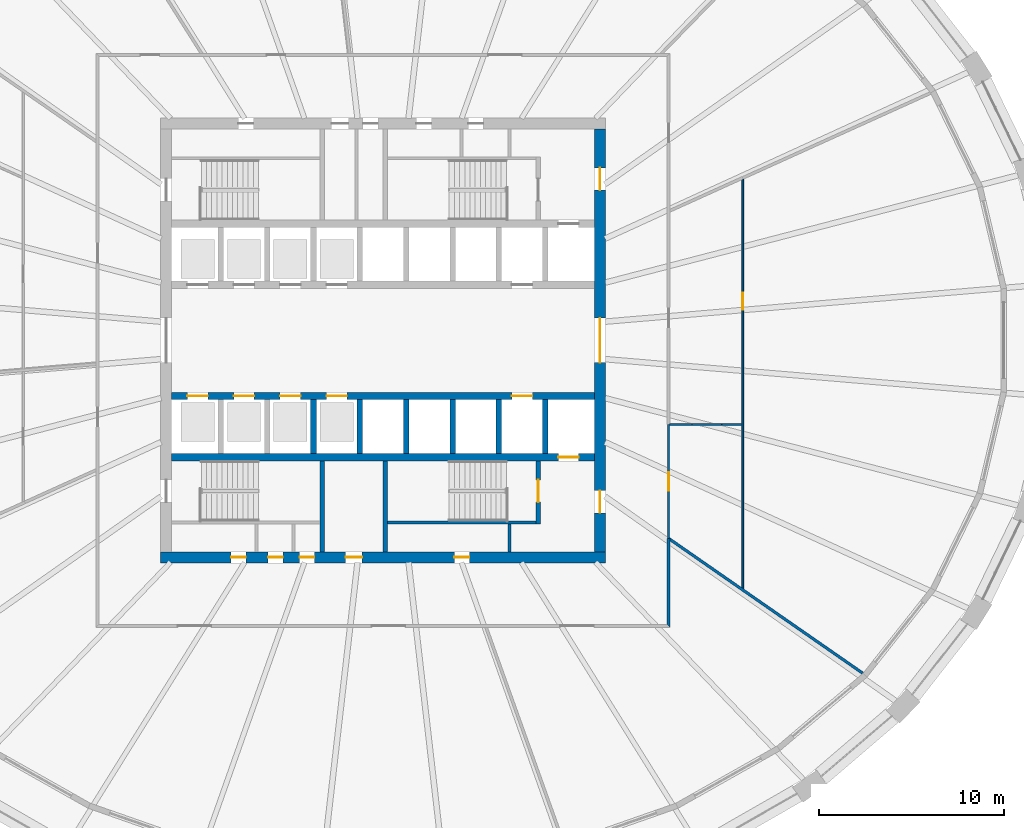
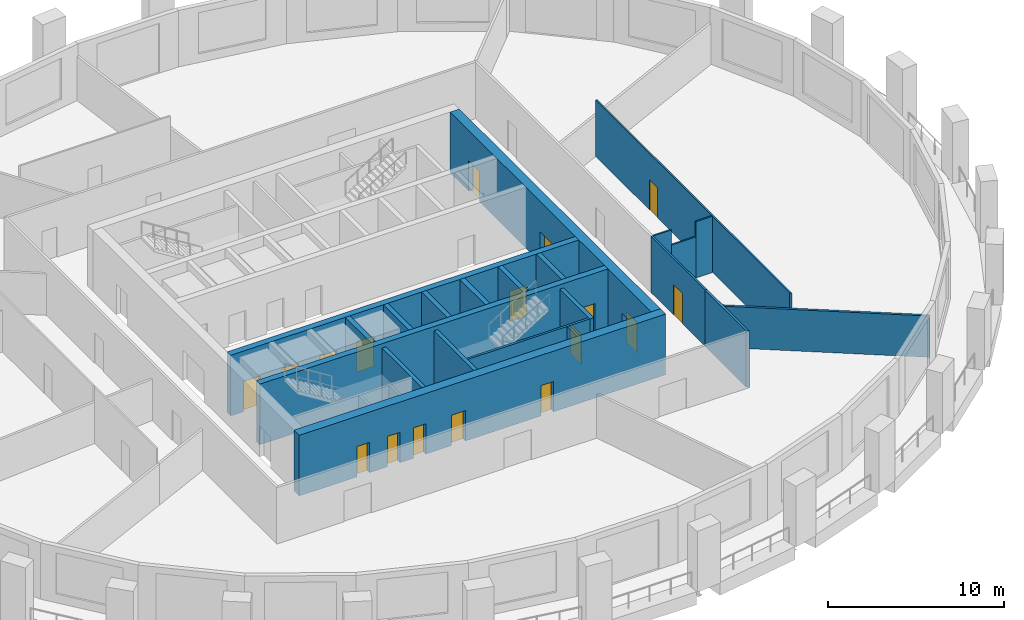
# One storey, part 4 of 10: 22 walls, 17 doors, 17 openings.
"""IFC4 building model written with IfcOpenShell, lengths in metres."""

from ifc_helpers import new_model, si_unit, direction, frame, frame_2d, origin, place, context, subcontext, project, spatial, polyline, rectangle, outline, extrude, material, layer, layer_set, type_object, element, fill, save


model = new_model("IFC4")

# Units and contexts
model_context = context("Model", 3, precision=1e-05, world=origin(), true_north=direction((0.0, 1.0)))
body_context = subcontext(model_context, "Body", "Model", "MODEL_VIEW")
ifc_project = project(units=[si_unit("LENGTHUNIT", "METRE"), si_unit("AREAUNIT", "SQUARE_METRE"), si_unit("VOLUMEUNIT", "CUBIC_METRE"), si_unit("PLANEANGLEUNIT", "RADIAN"), si_unit("MASSUNIT", "GRAM", prefix="KILO")], contexts=[model_context])

# Site, building, storey
site_placement = place(None, origin())
site = spatial("IfcSite", under=ifc_project, at=site_placement, CompositionType="ELEMENT")
building_placement = place(site_placement, origin())
building = spatial("IfcBuilding", under=site, at=building_placement, Name="Halqa Exchange Tower", CompositionType="ELEMENT")
storey_placement = place(building_placement, frame((0.0, 0.0, 86.5)))
storey = spatial("IfcBuildingStorey", under=building, at=storey_placement, Name="L19", CompositionType="ELEMENT", Elevation=86.5)

# Walls
ifc_material_1 = material(Name="Fire-rated gypsum board")
ifc_layer_1 = layer(ifc_material_1, 0.14990234375)
ifc_layer_set_1 = layer_set([ifc_layer_1], Name="Fire-rated gypsum board")
wall_type_1 = type_object("IfcWallType", Name="Fire partition EI 60 150", PredefinedType="PARTITIONING", material=ifc_layer_set_1)
wall_1_placement = place(storey_placement, frame((15.39990234375, -10.679931640625, 0.0), z_axis=(0.0, 0.0, 1.0), x_axis=(0.0, -1.0, 0.0)))
element("IfcWall", 1, at=wall_1_placement, inside=storey, type_object=wall_type_1, Name="L19-PWL-016", PredefinedType="PARTITIONING", context=body_context, shape_type="SweptSolid", body=[
    extrude(outline(polyline([(0.0, -0.074951171875), (1.54833984375, -0.074951171875), (3.0966796875, -0.074951171875), (4.64501953125, -0.074951171875), (4.794921875, 0.074951171875), (3.196533203125, 0.074951171875), (1.598388671875, 0.074951171875), (0.0, 0.074951171875), (0.0, -0.074951171875)])), origin(), (0.0, 0.0, 1.0), 3.89990234375),
])
wall_2_placement = place(storey_placement, frame((15.417724609375, -10.6923828125, 0.0), z_axis=(0.0, 0.0, 1.0), x_axis=(0.821423906774, -0.57031812647, 0.0)))
element("IfcWall", 2, at=wall_2_placement, inside=storey, type_object=wall_type_1, Name="L19-PWL-017", PredefinedType="PARTITIONING", context=body_context, shape_type="SweptSolid", body=[
    extrude(outline(polyline([(0.121826171875, -0.074951171875), (1.921875, -0.074951171875), (3.721923828125, -0.074951171875), (5.52197265625, -0.074951171875), (7.322021484375, -0.074951171875), (9.1220703125, -0.074951171875), (10.922119140625, -0.074951171875), (12.721923828125, -0.074951171875), (12.72216796875, -0.074462890625), (12.72216796875, 0.074951171875), (10.72705078125, 0.074951171875), (8.73193359375, 0.074951171875), (6.736572265625, 0.074951171875), (4.741455078125, 0.074951171875), (4.7373046875, 0.072021484375), (4.735107421875, 0.074951171875), (3.15673828125, 0.074951171875), (1.578369140625, 0.074951171875), (0.0, 0.074951171875), (0.0, 0.07421875), (0.027587890625, 0.0341796875), (0.0400390625, 0.042724609375), (0.121826171875, -0.074951171875)])), origin(), (0.0, 0.0, 1.0), 2.860107421875),
])

# Wall, opening, door
ifc_material_2 = material(Name="Fire-rated glazing", Category="glass")
ifc_layer_2 = layer(ifc_material_2, 0.1201171875)
ifc_layer_set_2 = layer_set([ifc_layer_2], Name="Fire-rated glazing")
wall_type_2 = type_object("IfcWallType", Name="Glazed fire partition EI 60 120", PredefinedType="PARTITIONING", material=ifc_layer_set_2)
wall_3_placement = place(storey_placement, frame((15.39990234375, -4.5400390625, 0.0), z_axis=(0.0, 0.0, 1.0), x_axis=(0.0, -1.0, 0.0)))
wall_3 = element("IfcWall", 3, at=wall_3_placement, inside=storey, type_object=wall_type_2, Name="L19-PWL-018", PredefinedType="PARTITIONING", context=body_context, shape_type="SweptSolid", body=[
    extrude(rectangle(XDim=6.139892578125, YDim=0.1201171875, at=frame_2d((3.06982421875, 0.0))), origin(), (0.0, 0.0, 1.0), 3.89990234375),
])
opening_1_placement = place(wall_3_placement, frame((2.570068359375, 0.0, 0.0)))
opening_1 = element("IfcOpeningElement", 4, at=opening_1_placement, cuts=wall_3, Name="Opening 06-01", PredefinedType="OPENING", context=body_context, shape_type="SweptSolid", body=[
    extrude(rectangle(XDim=1.0, YDim=2.10009765625, at=frame_2d((0.5, 1.050048828125))), frame((0.0, 0.072021484375, 0.0), z_axis=(0.0, -1.0, 0.0), x_axis=(1.0, 0.0, 0.0)), (0.0, 0.0, 1.0), 0.14404296875),
])
ifc_material_3 = material(Name="Steel fire door leaf", Category="steel")
door_type_1 = type_object("IfcDoorType", Name="Fire door FD30S 1000 x 2100", OperationType="SINGLE_SWING_LEFT", PredefinedType="DOOR", material=ifc_material_3)
door_1_placement = place(opening_1_placement, origin())
door_1 = element("IfcDoor", 5, at=door_1_placement, inside=storey, type_object=door_type_1, Name="L19-IDR-001", OperationType="SINGLE_SWING_RIGHT", OverallHeight=2.10009765625, OverallWidth=1.0, PredefinedType="DOOR", context=body_context, shape_type="SweptSolid", body=[
    extrude(rectangle(XDim=1.0, YDim=2.10009765625, at=frame_2d((0.5, 1.050048828125))), frame((0.0, 0.02490234375, 0.0), z_axis=(0.0, -1.0, 0.0), x_axis=(1.0, 0.0, 0.0)), (0.0, 0.0, 1.0), 0.050048828125),
])
fill(opening_1, door_1)

# Wall
ifc_material_4 = material(Name="Gypsum board")
ifc_layer_3 = layer(ifc_material_4, 0.10009765625)
ifc_layer_set_3 = layer_set([ifc_layer_3], Name="Gypsum board")
wall_type_3 = type_object("IfcWallType", Name="Partition 100 gypsum", PredefinedType="PARTITIONING", material=ifc_layer_set_3)
wall_4_placement = place(storey_placement, frame((15.46044921875, -4.5400390625, 0.0), z_axis=(0.0, 0.0, 1.0), x_axis=(1.0, 0.0, 0.0)))
element("IfcWall", 6, at=wall_4_placement, inside=storey, type_object=wall_type_3, Name="L19-PWL-020", PredefinedType="PARTITIONING", context=body_context, shape_type="SweptSolid", body=[
    extrude(outline(polyline([(1.191650390625, 0.050048828125), (0.0146484375, 0.050048828125), (0.0146484375, 0.0), (0.0, 0.0), (0.0, -0.050048828125), (1.191650390625, -0.050048828125), (1.191650390625, 0.050048828125)])), origin(), (0.0, 0.0, 1.0), 3.89990234375),
])

# Wall, opening, door
wall_5_placement = place(storey_placement, frame((19.39990234375, -13.400390625, 0.0), z_axis=(0.0, 0.0, 1.0), x_axis=(0.0, 1.0, 0.0)))
wall_5 = element("IfcWall", 7, at=wall_5_placement, inside=storey, type_object=wall_type_3, Name="L19-PWL-022", PredefinedType="PARTITIONING", context=body_context, shape_type="SweptSolid", body=[
    extrude(outline(polyline([(22.100341796875, -0.050048828125), (22.100341796875, -0.04931640625), (22.093994140625, -0.03564453125), (22.100341796875, -0.03271484375), (22.100341796875, -0.027099609375), (22.0654296875, 0.050048828125), (20.18603515625, 0.050048828125), (18.306884765625, 0.050048828125), (16.427490234375, 0.050048828125), (14.54833984375, 0.050048828125), (12.6689453125, 0.050048828125), (10.789794921875, 0.050048828125), (8.910400390625, 0.050048828125), (8.910400390625, 0.0498046875), (8.810302734375, 0.0498046875), (8.810302734375, 0.050048828125), (7.062255859375, 0.050048828125), (5.31396484375, 0.050048828125), (3.565673828125, 0.050048828125), (1.8173828125, 0.050048828125), (0.069091796875, 0.050048828125), (0.0, -0.049560546875), (0.0, -0.050048828125), (1.841796875, -0.050048828125), (3.683349609375, -0.050048828125), (5.525146484375, -0.050048828125), (7.36669921875, -0.050048828125), (9.20849609375, -0.050048828125), (11.05029296875, -0.050048828125), (12.891845703125, -0.050048828125), (14.733642578125, -0.050048828125), (16.5751953125, -0.050048828125), (18.4169921875, -0.050048828125), (20.258544921875, -0.050048828125), (22.100341796875, -0.050048828125)])), origin(), (0.0, 0.0, 1.0), 3.89990234375),
])
opening_2_placement = place(wall_5_placement, frame((15.060546875, 0.0, 0.0)))
opening_2 = element("IfcOpeningElement", 8, at=opening_2_placement, cuts=wall_5, Name="Opening 06-12", PredefinedType="OPENING", context=body_context, shape_type="SweptSolid", body=[
    extrude(rectangle(XDim=0.89990234375, YDim=2.10009765625, at=frame_2d((0.449951171875, 1.050048828125))), frame((0.0, 0.06201171875, 0.0), z_axis=(0.0, -1.0, 0.0), x_axis=(1.0, 0.0, 0.0)), (0.0, 0.0, 1.0), 0.1240234375),
])
ifc_material_5 = material(Name="Timber door leaf", Category="wood")
door_type_2 = type_object("IfcDoorType", Name="Door 900 x 2100", OperationType="SINGLE_SWING_LEFT", PredefinedType="DOOR", material=ifc_material_5)
door_2_placement = place(opening_2_placement, origin())
door_2 = element("IfcDoor", 9, at=door_2_placement, inside=storey, type_object=door_type_2, Name="L19-IDR-012", OperationType="SINGLE_SWING_LEFT", OverallHeight=2.10009765625, OverallWidth=0.89990234375, PredefinedType="DOOR", context=body_context, shape_type="SweptSolid", body=[
    extrude(rectangle(XDim=0.89990234375, YDim=2.10009765625, at=frame_2d((0.449951171875, 1.050048828125))), frame((0.0, 0.02490234375, 0.0), z_axis=(0.0, -1.0, 0.0), x_axis=(1.0, 0.0, 0.0)), (0.0, 0.0, 1.0), 0.050048828125),
])
fill(opening_2, door_2)

# Walls
wall_6_placement = place(storey_placement, frame((16.652099609375, -4.5400390625, 0.0), z_axis=(0.0, 0.0, 1.0), x_axis=(1.0, 0.0, 0.0)))
element("IfcWall", 10, at=wall_6_placement, inside=storey, type_object=wall_type_3, Name="L19-PWL-025", PredefinedType="PARTITIONING", context=body_context, shape_type="SweptSolid", body=[
    extrude(outline(polyline([(0.0, 0.050048828125), (0.0, -0.050048828125), (1.616943359375, -0.050048828125), (1.616943359375, 0.050048828125), (0.0, 0.050048828125)])), origin(), (0.0, 0.0, 1.0), 2.85009765625),
])
wall_7_placement = place(storey_placement, frame((18.26904296875, -4.5400390625, 0.0), z_axis=(0.0, 0.0, 1.0), x_axis=(1.0, 0.0, 0.0)))
element("IfcWall", 11, at=wall_7_placement, inside=storey, type_object=wall_type_3, Name="L19-PWL-026", PredefinedType="PARTITIONING", context=body_context, shape_type="SweptSolid", body=[
    extrude(outline(polyline([(0.0, -0.050048828125), (1.0810546875, -0.050048828125), (1.0810546875, 0.050048828125), (0.0, 0.050048828125), (0.0, -0.050048828125)])), origin(), (0.0, 0.0, 1.0), 3.89990234375),
])
ifc_layer_4 = layer(ifc_material_4, 0.14990234375)
ifc_layer_set_4 = layer_set([ifc_layer_4], Name="Gypsum board")
wall_type_4 = type_object("IfcWallType", Name="Penthouse riser wall 150 gypsum", PredefinedType="PARTITIONING", material=ifc_layer_set_4)
wall_8_placement = place(storey_placement, frame((6.824951171875, -11.39990234375, 0.0), z_axis=(0.0, 0.0, 1.0), x_axis=(0.0, 1.0, 0.0)))
element("IfcWall", 12, at=wall_8_placement, inside=storey, type_object=wall_type_4, Name="Firefighting lobby west wall S", PredefinedType="PARTITIONING", context=body_context, shape_type="SweptSolid", body=[
    extrude(rectangle(XDim=1.5, YDim=0.14990234375, at=frame_2d((0.75, 0.0))), origin(), (0.0, 0.0, 1.0), 3.89990234375),
])
ifc_material_6 = material(Name="Concrete C60/75", Category="concrete")
ifc_layer_5 = layer(ifc_material_6, 0.300048828125)
ifc_layer_set_5 = layer_set([ifc_layer_5], Name="Concrete C60/75")
wall_type_5 = type_object("IfcWallType", Name="RC core wall 300", PredefinedType="SHEAR", material=ifc_layer_set_5)
for number, where, z_axis, x_axis, name in (
    (13, (-3.75, -6.10009765625, 0.0), (0.0, 0.0, 1.0), (0.0, 1.0, 0.0), "Shaft divider S3"),
    (14, (-1.25, -6.10009765625, 0.0), (0.0, 0.0, 1.0), (0.0, 1.0, 0.0), "Shaft divider S4"),
    (15, (1.25, -6.10009765625, 0.0), (0.0, 0.0, 1.0), (0.0, 1.0, 0.0), "Shaft divider S5"),
    (16, (3.75, -6.10009765625, 0.0), (0.0, 0.0, 1.0), (0.0, 1.0, 0.0), "Shaft divider S6"),
    (17, (6.25, -6.10009765625, 0.0), (0.0, 0.0, 1.0), (0.0, 1.0, 0.0), "Shaft divider S7"),
    (18, (8.75, -6.10009765625, 0.0), (0.0, 0.0, 1.0), (0.0, 1.0, 0.0), "Shaft divider S8"),
):
    element("IfcWall", number, at=place(storey_placement, frame(where, z_axis=z_axis, x_axis=x_axis)), inside=storey, type_object=wall_type_5, Name=name, PredefinedType="SHEAR", context=body_context, shape_type="SweptSolid", body=[
        extrude(rectangle(XDim=2.900146484375, YDim=0.300048828125, at=frame_2d((1.4501953125, 0.0))), origin(), (0.0, 0.0, 1.0), 4.199951171875),
    ])

# Wall, openings, doors
ifc_material_7 = material(Name="Concrete C80/95", Category="concrete")
ifc_layer_6 = layer(ifc_material_7, 0.39990234375)
ifc_layer_set_6 = layer_set([ifc_layer_6], Name="Concrete C80/95")
wall_type_6 = type_object("IfcWallType", Name="RC core wall 400 C80/95", PredefinedType="SHEAR", material=ifc_layer_set_6)
wall_9_placement = place(storey_placement, frame((-11.39990234375, -3.0, 0.0), z_axis=(0.0, 0.0, 1.0), x_axis=(1.0, 0.0, 0.0)))
wall_9 = element("IfcWall", 19, at=wall_9_placement, inside=storey, type_object=wall_type_6, Name="Lift row front wall S", PredefinedType="SHEAR", context=body_context, shape_type="SweptSolid", body=[
    extrude(rectangle(XDim=22.7998046875, YDim=0.39990234375, at=frame_2d((11.39990234375, 0.0))), origin(), (0.0, 0.0, 1.0), 4.199951171875),
])
opening_3_placement = place(wall_9_placement, frame((0.85009765625, 0.0, 0.0)))
opening_3 = element("IfcOpeningElement", 20, at=opening_3_placement, cuts=wall_9, Name="Opening LD-LR5-T06", PredefinedType="OPENING", context=body_context, shape_type="SweptSolid", body=[
    extrude(rectangle(XDim=1.10009765625, YDim=2.10009765625, at=frame_2d((0.550048828125, 1.050048828125))), frame((0.0, 0.2119140625, 0.0), z_axis=(0.0, -1.0, 0.0), x_axis=(1.0, 0.0, 0.0)), (0.0, 0.0, 1.0), 0.423828125),
])
opening_4_placement = place(wall_9_placement, frame((3.35009765625, 0.0, 0.0)))
opening_4 = element("IfcOpeningElement", 21, at=opening_4_placement, cuts=wall_9, Name="Opening LD-LR6-T06", PredefinedType="OPENING", context=body_context, shape_type="SweptSolid", body=[
    extrude(rectangle(XDim=1.10009765625, YDim=2.10009765625, at=frame_2d((0.550048828125, 1.050048828125))), frame((0.0, 0.2119140625, 0.0), z_axis=(0.0, -1.0, 0.0), x_axis=(1.0, 0.0, 0.0)), (0.0, 0.0, 1.0), 0.423828125),
])
opening_5_placement = place(wall_9_placement, frame((5.85009765625, 0.0, 0.0)))
opening_5 = element("IfcOpeningElement", 22, at=opening_5_placement, cuts=wall_9, Name="Opening LD-LR7-T06", PredefinedType="OPENING", context=body_context, shape_type="SweptSolid", body=[
    extrude(rectangle(XDim=1.10009765625, YDim=2.10009765625, at=frame_2d((0.550048828125, 1.050048828125))), frame((0.0, 0.2119140625, 0.0), z_axis=(0.0, -1.0, 0.0), x_axis=(1.0, 0.0, 0.0)), (0.0, 0.0, 1.0), 0.423828125),
])
opening_6_placement = place(wall_9_placement, frame((8.35009765625, 0.0, 0.0)))
opening_6 = element("IfcOpeningElement", 23, at=opening_6_placement, cuts=wall_9, Name="Opening LD-LR8-T06", PredefinedType="OPENING", context=body_context, shape_type="SweptSolid", body=[
    extrude(rectangle(XDim=1.10009765625, YDim=2.10009765625, at=frame_2d((0.550048828125, 1.050048828125))), frame((0.0, 0.2119140625, 0.0), z_axis=(0.0, -1.0, 0.0), x_axis=(1.0, 0.0, 0.0)), (0.0, 0.0, 1.0), 0.423828125),
])
opening_7_placement = place(wall_9_placement, frame((18.35009765625, 0.0, 0.0)))
opening_7 = element("IfcOpeningElement", 24, at=opening_7_placement, cuts=wall_9, Name="Opening LD-SV2-T06", PredefinedType="OPENING", context=body_context, shape_type="SweptSolid", body=[
    extrude(rectangle(XDim=1.10009765625, YDim=2.10009765625, at=frame_2d((0.550048828125, 1.050048828125))), frame((0.0, 0.2119140625, 0.0), z_axis=(0.0, -1.0, 0.0), x_axis=(1.0, 0.0, 0.0)), (0.0, 0.0, 1.0), 0.423828125),
])
ifc_material_8 = material(Name="Stainless steel", Category="steel")
door_type_3 = type_object("IfcDoorType", Name="Lift landing door 1100 x 2100", OperationType="SLIDING_TO_LEFT", PredefinedType="DOOR", material=ifc_material_8)
door_3_placement = place(opening_3_placement, origin())
door_3 = element("IfcDoor", 25, at=door_3_placement, inside=storey, type_object=door_type_3, Name="Lift landing door LR5", OperationType="SLIDING_TO_LEFT", OverallHeight=2.10009765625, OverallWidth=1.10009765625, PredefinedType="DOOR", context=body_context, shape_type="SweptSolid", body=[
    extrude(rectangle(XDim=1.10009765625, YDim=2.10009765625, at=frame_2d((0.550048828125, 1.050048828125))), frame((0.0, 0.02490234375, 0.0), z_axis=(0.0, -1.0, 0.0), x_axis=(1.0, 0.0, 0.0)), (0.0, 0.0, 1.0), 0.050048828125),
])
fill(opening_3, door_3)
door_4_placement = place(opening_4_placement, origin())
door_4 = element("IfcDoor", 26, at=door_4_placement, inside=storey, type_object=door_type_3, Name="Lift landing door LR6", OperationType="SLIDING_TO_LEFT", OverallHeight=2.10009765625, OverallWidth=1.10009765625, PredefinedType="DOOR", context=body_context, shape_type="SweptSolid", body=[
    extrude(rectangle(XDim=1.10009765625, YDim=2.10009765625, at=frame_2d((0.550048828125, 1.050048828125))), frame((0.0, 0.02490234375, 0.0), z_axis=(0.0, -1.0, 0.0), x_axis=(1.0, 0.0, 0.0)), (0.0, 0.0, 1.0), 0.050048828125),
])
fill(opening_4, door_4)
door_5_placement = place(opening_5_placement, origin())
door_5 = element("IfcDoor", 27, at=door_5_placement, inside=storey, type_object=door_type_3, Name="Lift landing door LR7", OperationType="SLIDING_TO_LEFT", OverallHeight=2.10009765625, OverallWidth=1.10009765625, PredefinedType="DOOR", context=body_context, shape_type="SweptSolid", body=[
    extrude(rectangle(XDim=1.10009765625, YDim=2.10009765625, at=frame_2d((0.550048828125, 1.050048828125))), frame((0.0, 0.02490234375, 0.0), z_axis=(0.0, -1.0, 0.0), x_axis=(1.0, 0.0, 0.0)), (0.0, 0.0, 1.0), 0.050048828125),
])
fill(opening_5, door_5)
door_6_placement = place(opening_6_placement, origin())
door_6 = element("IfcDoor", 28, at=door_6_placement, inside=storey, type_object=door_type_3, Name="Lift landing door LR8", OperationType="SLIDING_TO_LEFT", OverallHeight=2.10009765625, OverallWidth=1.10009765625, PredefinedType="DOOR", context=body_context, shape_type="SweptSolid", body=[
    extrude(rectangle(XDim=1.10009765625, YDim=2.10009765625, at=frame_2d((0.550048828125, 1.050048828125))), frame((0.0, 0.02490234375, 0.0), z_axis=(0.0, -1.0, 0.0), x_axis=(1.0, 0.0, 0.0)), (0.0, 0.0, 1.0), 0.050048828125),
])
fill(opening_6, door_6)
door_7_placement = place(opening_7_placement, origin())
door_7 = element("IfcDoor", 29, at=door_7_placement, inside=storey, type_object=door_type_3, Name="Lift landing door SV2", OperationType="SLIDING_TO_LEFT", OverallHeight=2.10009765625, OverallWidth=1.10009765625, PredefinedType="DOOR", context=body_context, shape_type="SweptSolid", body=[
    extrude(rectangle(XDim=1.10009765625, YDim=2.10009765625, at=frame_2d((0.550048828125, 1.050048828125))), frame((0.0, 0.02490234375, 0.0), z_axis=(0.0, -1.0, 0.0), x_axis=(1.0, 0.0, 0.0)), (0.0, 0.0, 1.0), 0.050048828125),
])
fill(opening_7, door_7)

# Wall, opening, door
wall_10_placement = place(storey_placement, frame((-11.39990234375, -6.300048828125, 0.0), z_axis=(0.0, 0.0, 1.0), x_axis=(1.0, 0.0, 0.0)))
wall_10 = element("IfcWall", 30, at=wall_10_placement, inside=storey, type_object=wall_type_6, Name="Lift row back wall S", PredefinedType="SHEAR", context=body_context, shape_type="SweptSolid", body=[
    extrude(rectangle(XDim=22.7998046875, YDim=0.39990234375, at=frame_2d((11.39990234375, 0.0))), origin(), (0.0, 0.0, 1.0), 4.199951171875),
])
opening_8_placement = place(wall_10_placement, frame((20.85009765625, 0.0, 0.0)))
opening_8 = element("IfcOpeningElement", 31, at=opening_8_placement, cuts=wall_10, Name="Opening LD-FF2-T06", PredefinedType="OPENING", context=body_context, shape_type="SweptSolid", body=[
    extrude(rectangle(XDim=1.10009765625, YDim=2.10009765625, at=frame_2d((0.550048828125, 1.050048828125))), frame((0.0, 0.2119140625, 0.0), z_axis=(0.0, -1.0, 0.0), x_axis=(1.0, 0.0, 0.0)), (0.0, 0.0, 1.0), 0.423828125),
])
door_8_placement = place(opening_8_placement, origin())
door_8 = element("IfcDoor", 32, at=door_8_placement, inside=storey, type_object=door_type_3, Name="Lift landing door FF2", OperationType="SLIDING_TO_LEFT", OverallHeight=2.10009765625, OverallWidth=1.10009765625, PredefinedType="DOOR", context=body_context, shape_type="SweptSolid", body=[
    extrude(rectangle(XDim=1.10009765625, YDim=2.10009765625, at=frame_2d((0.550048828125, 1.050048828125))), frame((0.0, 0.02490234375, 0.0), z_axis=(0.0, -1.0, 0.0), x_axis=(1.0, 0.0, 0.0)), (0.0, 0.0, 1.0), 0.050048828125),
])
fill(opening_8, door_8)

# Wall, openings, doors
ifc_layer_7 = layer(ifc_material_7, 0.60009765625)
ifc_layer_set_7 = layer_set([ifc_layer_7], Name="Concrete C80/95")
wall_type_7 = type_object("IfcWallType", Name="RC core wall 600 C80/95", PredefinedType="SHEAR", material=ifc_layer_set_7)
wall_11_placement = place(storey_placement, frame((-12.0, -11.699951171875, 0.0), z_axis=(0.0, 0.0, 1.0), x_axis=(1.0, 0.0, 0.0)))
wall_11 = element("IfcWall", 33, at=wall_11_placement, inside=storey, type_object=wall_type_7, Name="Core wall south", PredefinedType="SHEAR", context=body_context, shape_type="SweptSolid", body=[
    extrude(rectangle(XDim=24.0, YDim=0.60009765625, at=frame_2d((12.0, 0.0))), origin(), (0.0, 0.0, 1.0), 4.199951171875),
])
opening_9_placement = place(wall_11_placement, frame((9.97509765625, 0.0, 0.0)))
opening_9 = element("IfcOpeningElement", 34, at=opening_9_placement, cuts=wall_11, Name="Opening T06-C26", PredefinedType="OPENING", context=body_context, shape_type="SweptSolid", body=[
    extrude(rectangle(XDim=0.89990234375, YDim=2.10009765625, at=frame_2d((0.449951171875, 1.050048828125))), frame((0.0, 0.31201171875, 0.0), z_axis=(0.0, -1.0, 0.0), x_axis=(1.0, 0.0, 0.0)), (0.0, 0.0, 1.0), 0.6240234375),
])
opening_10_placement = place(wall_11_placement, frame((3.800048828125, 0.0, 0.0)))
opening_10 = element("IfcOpeningElement", 35, at=opening_10_placement, cuts=wall_11, Name="Opening T06-C27", PredefinedType="OPENING", context=body_context, shape_type="SweptSolid", body=[
    extrude(rectangle(XDim=0.800048828125, YDim=2.10009765625, at=frame_2d((0.39990234375, 1.050048828125))), frame((0.0, 0.31201171875, 0.0), z_axis=(0.0, -1.0, 0.0), x_axis=(1.0, 0.0, 0.0)), (0.0, 0.0, 1.0), 0.6240234375),
])
opening_11_placement = place(wall_11_placement, frame((5.800048828125, 0.0, 0.0)))
opening_11 = element("IfcOpeningElement", 36, at=opening_11_placement, cuts=wall_11, Name="Opening T06-C28", PredefinedType="OPENING", context=body_context, shape_type="SweptSolid", body=[
    extrude(rectangle(XDim=0.800048828125, YDim=2.10009765625, at=frame_2d((0.39990234375, 1.050048828125))), frame((0.0, 0.31201171875, 0.0), z_axis=(0.0, -1.0, 0.0), x_axis=(1.0, 0.0, 0.0)), (0.0, 0.0, 1.0), 0.6240234375),
])
opening_12_placement = place(wall_11_placement, frame((7.5, 0.0, 0.0)))
opening_12 = element("IfcOpeningElement", 37, at=opening_12_placement, cuts=wall_11, Name="Opening T06-C29", PredefinedType="OPENING", context=body_context, shape_type="SweptSolid", body=[
    extrude(rectangle(XDim=0.800048828125, YDim=2.10009765625, at=frame_2d((0.39990234375, 1.050048828125))), frame((0.0, 0.31201171875, 0.0), z_axis=(0.0, -1.0, 0.0), x_axis=(1.0, 0.0, 0.0)), (0.0, 0.0, 1.0), 0.6240234375),
])
opening_13_placement = place(wall_11_placement, frame((15.85009765625, 0.0, 0.0)))
opening_13 = element("IfcOpeningElement", 38, at=opening_13_placement, cuts=wall_11, Name="Opening T06-C30", PredefinedType="OPENING", context=body_context, shape_type="SweptSolid", body=[
    extrude(rectangle(XDim=0.800048828125, YDim=2.10009765625, at=frame_2d((0.39990234375, 1.050048828125))), frame((0.0, 0.31201171875, 0.0), z_axis=(0.0, -1.0, 0.0), x_axis=(1.0, 0.0, 0.0)), (0.0, 0.0, 1.0), 0.6240234375),
])
ifc_material_9 = material(Name="Timber fire door leaf", Category="wood")
door_type_4 = type_object("IfcDoorType", Name="Core room door FD30 900 x 2100", OperationType="SINGLE_SWING_LEFT", PredefinedType="DOOR", material=ifc_material_9)
door_9_placement = place(opening_9_placement, origin())
door_9 = element("IfcDoor", 39, at=door_9_placement, inside=storey, type_object=door_type_4, Name="Core room door", OperationType="SINGLE_SWING_LEFT", OverallHeight=2.10009765625, OverallWidth=0.89990234375, PredefinedType="DOOR", context=body_context, shape_type="SweptSolid", body=[
    extrude(rectangle(XDim=0.89990234375, YDim=2.10009765625, at=frame_2d((0.449951171875, 1.050048828125))), frame((0.0, 0.02490234375, 0.0), z_axis=(0.0, -1.0, 0.0), x_axis=(1.0, 0.0, 0.0)), (0.0, 0.0, 1.0), 0.050048828125),
])
fill(opening_9, door_9)
door_type_5 = type_object("IfcDoorType", Name="Riser door FD60 800 x 2100", OperationType="SINGLE_SWING_LEFT", PredefinedType="DOOR", material=ifc_material_3)
door_10_placement = place(opening_10_placement, origin())
door_10 = element("IfcDoor", 40, at=door_10_placement, inside=storey, type_object=door_type_5, Name="Core room door", OperationType="SINGLE_SWING_LEFT", OverallHeight=2.10009765625, OverallWidth=0.800048828125, PredefinedType="DOOR", context=body_context, shape_type="SweptSolid", body=[
    extrude(rectangle(XDim=0.800048828125, YDim=2.10009765625, at=frame_2d((0.39990234375, 1.050048828125))), frame((0.0, 0.02490234375, 0.0), z_axis=(0.0, -1.0, 0.0), x_axis=(1.0, 0.0, 0.0)), (0.0, 0.0, 1.0), 0.050048828125),
])
fill(opening_10, door_10)
door_11_placement = place(opening_11_placement, origin())
door_11 = element("IfcDoor", 41, at=door_11_placement, inside=storey, type_object=door_type_5, Name="Core room door", OperationType="SINGLE_SWING_RIGHT", OverallHeight=2.10009765625, OverallWidth=0.800048828125, PredefinedType="DOOR", context=body_context, shape_type="SweptSolid", body=[
    extrude(rectangle(XDim=0.800048828125, YDim=2.10009765625, at=frame_2d((0.39990234375, 1.050048828125))), frame((0.0, 0.02490234375, 0.0), z_axis=(0.0, -1.0, 0.0), x_axis=(1.0, 0.0, 0.0)), (0.0, 0.0, 1.0), 0.050048828125),
])
fill(opening_11, door_11)
door_12_placement = place(opening_12_placement, origin())
door_12 = element("IfcDoor", 42, at=door_12_placement, inside=storey, type_object=door_type_5, Name="Core room door", OperationType="SINGLE_SWING_RIGHT", OverallHeight=2.10009765625, OverallWidth=0.800048828125, PredefinedType="DOOR", context=body_context, shape_type="SweptSolid", body=[
    extrude(rectangle(XDim=0.800048828125, YDim=2.10009765625, at=frame_2d((0.39990234375, 1.050048828125))), frame((0.0, 0.02490234375, 0.0), z_axis=(0.0, -1.0, 0.0), x_axis=(1.0, 0.0, 0.0)), (0.0, 0.0, 1.0), 0.050048828125),
])
fill(opening_12, door_12)
door_13_placement = place(opening_13_placement, origin())
door_13 = element("IfcDoor", 43, at=door_13_placement, inside=storey, type_object=door_type_5, Name="Core room door", OperationType="SINGLE_SWING_LEFT", OverallHeight=2.10009765625, OverallWidth=0.800048828125, PredefinedType="DOOR", context=body_context, shape_type="SweptSolid", body=[
    extrude(rectangle(XDim=0.800048828125, YDim=2.10009765625, at=frame_2d((0.39990234375, 1.050048828125))), frame((0.0, 0.02490234375, 0.0), z_axis=(0.0, -1.0, 0.0), x_axis=(1.0, 0.0, 0.0)), (0.0, 0.0, 1.0), 0.050048828125),
])
fill(opening_13, door_13)

wall_12_placement = place(storey_placement, frame((11.699951171875, -11.39990234375, 0.0), z_axis=(0.0, 0.0, 1.0), x_axis=(0.0, 1.0, 0.0)))
wall_12 = element("IfcWall", 44, at=wall_12_placement, inside=storey, type_object=wall_type_7, Name="Core wall east", PredefinedType="SHEAR", context=body_context, shape_type="SweptSolid", body=[
    extrude(rectangle(XDim=22.7998046875, YDim=0.60009765625, at=frame_2d((11.39990234375, 0.0))), origin(), (0.0, 0.0, 1.0), 4.199951171875),
])
opening_14_placement = place(wall_12_placement, frame((10.199951171875, 0.0, 0.0)))
opening_14 = element("IfcOpeningElement", 45, at=opening_14_placement, cuts=wall_12, Name="Opening T06-C14", PredefinedType="OPENING", context=body_context, shape_type="SweptSolid", body=[
    extrude(rectangle(XDim=2.39990234375, YDim=2.10009765625, at=frame_2d((1.199951171875, 1.050048828125))), frame((0.0, 0.31201171875, 0.0), z_axis=(0.0, -1.0, 0.0), x_axis=(1.0, 0.0, 0.0)), (0.0, 0.0, 1.0), 0.6240234375),
])
opening_15_placement = place(wall_12_placement, frame((19.5, 0.0, 0.0)))
opening_15 = element("IfcOpeningElement", 46, at=opening_15_placement, cuts=wall_12, Name="Opening T06-C19", PredefinedType="OPENING", context=body_context, shape_type="SweptSolid", body=[
    extrude(rectangle(XDim=1.199951171875, YDim=2.10009765625, at=frame_2d((0.60009765625, 1.050048828125))), frame((0.0, 0.31201171875, 0.0), z_axis=(0.0, -1.0, 0.0), x_axis=(1.0, 0.0, 0.0)), (0.0, 0.0, 1.0), 0.6240234375),
])
opening_16_placement = place(wall_12_placement, frame((2.10009765625, 0.0, 0.0)))
opening_16 = element("IfcOpeningElement", 47, at=opening_16_placement, cuts=wall_12, Name="Opening T06-C20", PredefinedType="OPENING", context=body_context, shape_type="SweptSolid", body=[
    extrude(rectangle(XDim=1.199951171875, YDim=2.10009765625, at=frame_2d((0.60009765625, 1.050048828125))), frame((0.0, 0.31201171875, 0.0), z_axis=(0.0, -1.0, 0.0), x_axis=(1.0, 0.0, 0.0)), (0.0, 0.0, 1.0), 0.6240234375),
])
door_type_6 = type_object("IfcDoorType", Name="Firefighting lobby door FD90 1200 x 2100", OperationType="SINGLE_SWING_RIGHT", PredefinedType="DOOR", material=ifc_material_3)
door_14_placement = place(opening_15_placement, origin())
door_14 = element("IfcDoor", 48, at=door_14_placement, inside=storey, type_object=door_type_6, Name="Firefighting lobby door", OperationType="SINGLE_SWING_RIGHT", OverallHeight=2.10009765625, OverallWidth=1.199951171875, PredefinedType="DOOR", context=body_context, shape_type="SweptSolid", body=[
    extrude(rectangle(XDim=1.199951171875, YDim=2.10009765625, at=frame_2d((0.60009765625, 1.050048828125))), frame((0.0, 0.02490234375, 0.0), z_axis=(0.0, -1.0, 0.0), x_axis=(1.0, 0.0, 0.0)), (0.0, 0.0, 1.0), 0.050048828125),
])
fill(opening_15, door_14)
door_15_placement = place(opening_16_placement, origin())
door_15 = element("IfcDoor", 49, at=door_15_placement, inside=storey, type_object=door_type_6, Name="Firefighting lobby door", OperationType="SINGLE_SWING_LEFT", OverallHeight=2.10009765625, OverallWidth=1.199951171875, PredefinedType="DOOR", context=body_context, shape_type="SweptSolid", body=[
    extrude(rectangle(XDim=1.199951171875, YDim=2.10009765625, at=frame_2d((0.60009765625, 1.050048828125))), frame((0.0, 0.02490234375, 0.0), z_axis=(0.0, -1.0, 0.0), x_axis=(1.0, 0.0, 0.0)), (0.0, 0.0, 1.0), 0.050048828125),
])
fill(opening_16, door_15)
door_type_7 = type_object("IfcDoorType", Name="Lobby double door FD60 2400 x 2100", OperationType="DOUBLE_DOOR_SINGLE_SWING", PredefinedType="DOOR", material=ifc_material_3)
door_16_placement = place(opening_14_placement, origin())
door_16 = element("IfcDoor", 50, at=door_16_placement, inside=storey, type_object=door_type_7, Name="Lift lobby double door", OperationType="DOUBLE_DOOR_SINGLE_SWING", OverallHeight=2.10009765625, OverallWidth=2.39990234375, PredefinedType="DOOR", context=body_context, shape_type="SweptSolid", body=[
    extrude(rectangle(XDim=2.39990234375, YDim=2.10009765625, at=frame_2d((1.199951171875, 1.050048828125))), frame((0.0, 0.02490234375, 0.0), z_axis=(0.0, -1.0, 0.0), x_axis=(1.0, 0.0, 0.0)), (0.0, 0.0, 1.0), 0.050048828125),
])
fill(opening_14, door_16)

# Walls
ifc_material_10 = material(Name="Concrete C30/37", Category="concrete")
ifc_layer_8 = layer(ifc_material_10, 0.14990234375)
ifc_layer_set_8 = layer_set([ifc_layer_8], Name="Concrete C30/37")
wall_type_8 = type_object("IfcWallType", Name="RC stair wall 150 C30/37", PredefinedType="SHEAR", material=ifc_layer_set_8)
wall_13_placement = place(storey_placement, frame((0.25, -9.824951171875, 0.0), z_axis=(0.0, 0.0, 1.0), x_axis=(1.0, 0.0, 0.0)))
element("IfcWall", 51, at=wall_13_placement, inside=storey, type_object=wall_type_8, Name="Stair ST2 north wall S", PredefinedType="SHEAR", context=body_context, shape_type="SweptSolid", body=[
    extrude(rectangle(XDim=8.0, YDim=0.14990234375, at=frame_2d((4.0, 0.0))), origin(), (0.0, 0.0, 1.0), 3.89990234375),
])
ifc_layer_9 = layer(ifc_material_10, 0.25)
ifc_layer_set_9 = layer_set([ifc_layer_9], Name="Concrete C30/37")
wall_type_9 = type_object("IfcWallType", Name="RC stair wall 250 C30/37", PredefinedType="SHEAR", material=ifc_layer_set_9)
for number, where, z_axis, x_axis, name in (
    (52, (-3.27490234375, -11.39990234375, 0.0), (0.0, 0.0, 1.0), (0.0, 1.0, 0.0), "Stair ST1 east wall S"),
    (53, (0.125, -11.39990234375, 0.0), (0.0, 0.0, 1.0), (0.0, 1.0, 0.0), "Stair ST2 west wall S"),
):
    element("IfcWall", number, at=place(storey_placement, frame(where, z_axis=z_axis, x_axis=x_axis)), inside=storey, type_object=wall_type_9, Name=name, PredefinedType="SHEAR", context=body_context, shape_type="SweptSolid", body=[
        extrude(rectangle(XDim=4.89990234375, YDim=0.25, at=frame_2d((2.449951171875, 0.0))), origin(), (0.0, 0.0, 1.0), 3.89990234375),
    ])

# Wall, opening, door
wall_14_placement = place(storey_placement, frame((8.375, -9.89990234375, 0.0), z_axis=(0.0, 0.0, 1.0), x_axis=(0.0, 1.0, 0.0)))
wall_14 = element("IfcWall", 54, at=wall_14_placement, inside=storey, type_object=wall_type_9, Name="Stair ST2 east wall S", PredefinedType="SHEAR", context=body_context, shape_type="SweptSolid", body=[
    extrude(rectangle(XDim=3.39990234375, YDim=0.25, at=frame_2d((1.699951171875, 0.0))), origin(), (0.0, 0.0, 1.0), 3.89990234375),
])
opening_17_placement = place(wall_14_placement, frame((1.175048828125, 0.0, 0.0)))
opening_17 = element("IfcOpeningElement", 55, at=opening_17_placement, cuts=wall_14, Name="Opening T06-C18", PredefinedType="OPENING", context=body_context, shape_type="SweptSolid", body=[
    extrude(rectangle(XDim=1.199951171875, YDim=2.10009765625, at=frame_2d((0.60009765625, 1.050048828125))), frame((0.0, 0.136962890625, 0.0), z_axis=(0.0, -1.0, 0.0), x_axis=(1.0, 0.0, 0.0)), (0.0, 0.0, 1.0), 0.27392578125),
])
door_type_8 = type_object("IfcDoorType", Name="Stair door FD90 1200 x 2100", OperationType="SINGLE_SWING_LEFT", PredefinedType="DOOR", material=ifc_material_3)
door_17_placement = place(opening_17_placement, origin())
door_17 = element("IfcDoor", 56, at=door_17_placement, inside=storey, type_object=door_type_8, Name="Stair door ST4", OperationType="SINGLE_SWING_LEFT", OverallHeight=2.10009765625, OverallWidth=1.199951171875, PredefinedType="DOOR", context=body_context, shape_type="SweptSolid", body=[
    extrude(rectangle(XDim=1.199951171875, YDim=2.10009765625, at=frame_2d((0.60009765625, 1.050048828125))), frame((0.0, 0.02490234375, 0.0), z_axis=(0.0, -1.0, 0.0), x_axis=(1.0, 0.0, 0.0)), (0.0, 0.0, 1.0), 0.050048828125),
])
fill(opening_17, door_17)

save(model, "model.ifc")
